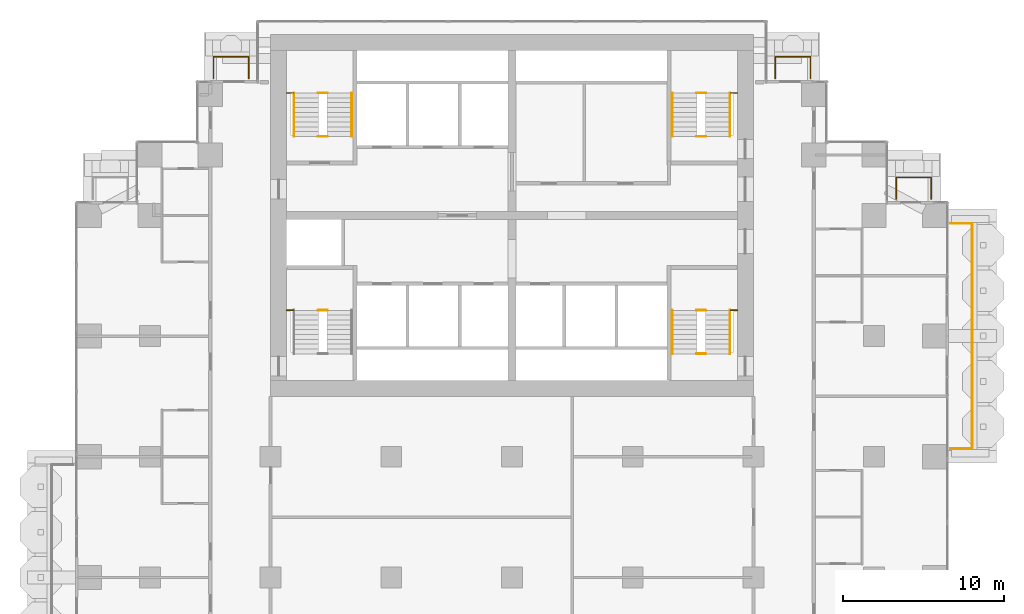
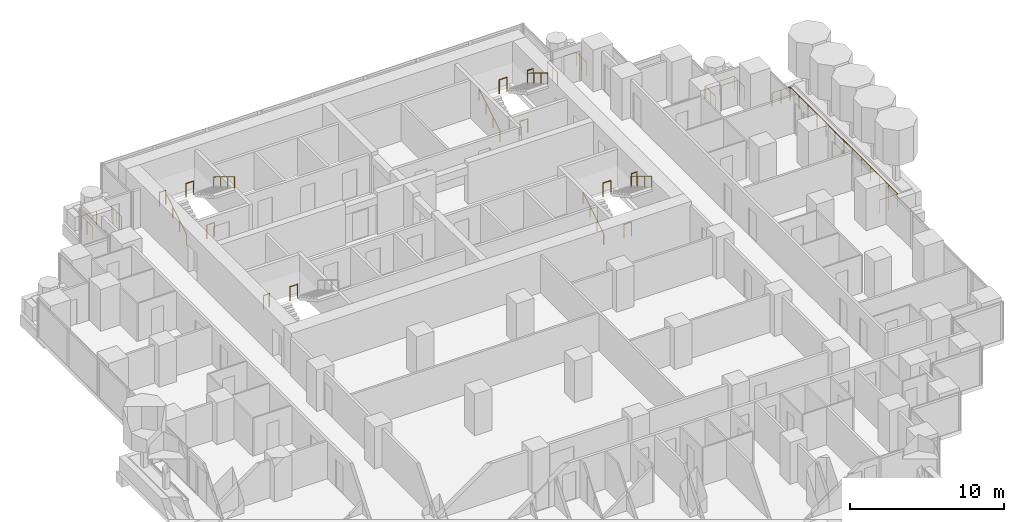
# One storey, part 18 of 19: 21 railings.
"""IFC4 building model written with IfcOpenShell, lengths in metres."""

from ifc_helpers import new_model, si_unit, direction, frame, origin, origin_2d, place, context, subcontext, project, spatial, circle, extrude, material, type_object, element, save


model = new_model("IFC4")

# Units and contexts
model_context = context("Model", 3, precision=1e-05, world=origin(), true_north=direction((0.0, 1.0)))
body_context = subcontext(model_context, "Body", "Model", "MODEL_VIEW")
ifc_project = project(units=[si_unit("LENGTHUNIT", "METRE"), si_unit("AREAUNIT", "SQUARE_METRE"), si_unit("VOLUMEUNIT", "CUBIC_METRE"), si_unit("PLANEANGLEUNIT", "RADIAN"), si_unit("MASSUNIT", "GRAM", prefix="KILO")], contexts=[model_context])

# Site, building, storey
site_placement = place(None, origin())
site = spatial("IfcSite", under=ifc_project, at=site_placement, CompositionType="ELEMENT")
building_placement = place(site_placement, origin())
building = spatial("IfcBuilding", under=site, at=building_placement, Name="Pilkhan Gate Tower", CompositionType="ELEMENT")
storey_placement = place(building_placement, frame((0.0, 0.0, 72.5)))
storey = spatial("IfcBuildingStorey", under=building, at=storey_placement, Name="L16", CompositionType="ELEMENT", Elevation=72.5)

# Railings
ifc_material_1 = material(Name="Pale anodised aluminium posts, laminated glass infill", Category="aluminium")
railing_type_1 = type_object("IfcRailingType", Name="Balcony guard G1", PredefinedType="BALUSTRADE", material=ifc_material_1)
railing_1_placement = place(storey_placement, frame((102.25, 68.0, 0.0)))
element("IfcRailing", 1, at=railing_1_placement, inside=storey, type_object=railing_type_1, Name="Balcony guard L16 E", PredefinedType="BALUSTRADE", context=body_context, shape_type="SweptSolid", body=[
    extrude(circle(Radius=0.02392578125, at=origin_2d()), frame((0.0, 0.0, 1.076171875), z_axis=(1.0, 0.0, 0.0), x_axis=(0.0, 1.0, 0.0)), (0.0, 0.0, 1.0), 1.35009765625),
    extrude(circle(Radius=0.02392578125, at=origin_2d()), frame((1.35009765625, 0.0, 1.076171875), z_axis=(0.0, 1.0, 0.0), x_axis=(-1.0, 0.0, 0.0)), (0.0, 0.0, 1.0), 14.0),
    extrude(circle(Radius=0.02392578125, at=origin_2d()), frame((1.35009765625, 14.0, 1.076171875), z_axis=(-1.0, 0.0, 0.0), x_axis=(0.0, -1.0, 0.0)), (0.0, 0.0, 1.0), 1.35009765625),
    extrude(circle(Radius=0.02099609375, at=origin_2d()), origin(), (0.0, 0.0, 1.0), 1.052001953125),
    extrude(circle(Radius=0.02099609375, at=origin_2d()), frame((0.675048828125, 0.0, 0.0)), (0.0, 0.0, 1.0), 1.052001953125),
    extrude(circle(Radius=0.02099609375, at=origin_2d()), frame((1.35009765625, 0.0, 0.0)), (0.0, 0.0, 1.0), 1.052001953125),
    extrude(circle(Radius=0.02099609375, at=origin_2d()), frame((1.35009765625, 1.166748046875, 0.0)), (0.0, 0.0, 1.0), 1.052001953125),
    extrude(circle(Radius=0.02099609375, at=origin_2d()), frame((1.35009765625, 2.333251953125, 0.0)), (0.0, 0.0, 1.0), 1.052001953125),
    extrude(circle(Radius=0.02099609375, at=origin_2d()), frame((1.35009765625, 3.5, 0.0)), (0.0, 0.0, 1.0), 1.052001953125),
    extrude(circle(Radius=0.02099609375, at=origin_2d()), frame((1.35009765625, 4.666748046875, 0.0)), (0.0, 0.0, 1.0), 1.052001953125),
    extrude(circle(Radius=0.02099609375, at=origin_2d()), frame((1.35009765625, 5.833251953125, 0.0)), (0.0, 0.0, 1.0), 1.052001953125),
    extrude(circle(Radius=0.02099609375, at=origin_2d()), frame((1.35009765625, 7.0, 0.0)), (0.0, 0.0, 1.0), 1.052001953125),
    extrude(circle(Radius=0.02099609375, at=origin_2d()), frame((1.35009765625, 8.166748046875, 0.0)), (0.0, 0.0, 1.0), 1.052001953125),
    extrude(circle(Radius=0.02099609375, at=origin_2d()), frame((1.35009765625, 9.333251953125, 0.0)), (0.0, 0.0, 1.0), 1.052001953125),
    extrude(circle(Radius=0.02099609375, at=origin_2d()), frame((1.35009765625, 10.5, 0.0)), (0.0, 0.0, 1.0), 1.052001953125),
    extrude(circle(Radius=0.02099609375, at=origin_2d()), frame((1.35009765625, 11.666748046875, 0.0)), (0.0, 0.0, 1.0), 1.052001953125),
    extrude(circle(Radius=0.02099609375, at=origin_2d()), frame((1.35009765625, 12.833251953125, 0.0)), (0.0, 0.0, 1.0), 1.052001953125),
    extrude(circle(Radius=0.02099609375, at=origin_2d()), frame((1.35009765625, 14.0, 0.0)), (0.0, 0.0, 1.0), 1.052001953125),
    extrude(circle(Radius=0.02099609375, at=origin_2d()), frame((0.675048828125, 14.0, 0.0)), (0.0, 0.0, 1.0), 1.052001953125),
    extrude(circle(Radius=0.02099609375, at=origin_2d()), frame((0.0, 14.0, 0.0)), (0.0, 0.0, 1.0), 1.052001953125),
])
for number, where, name in (
    (2, (56.449951171875, 91.0, 0.0), "Balcony guard L16 N"),
    (3, (91.35009765625, 91.0, 0.0), "Balcony guard L16 N"),
):
    element("IfcRailing", number, at=place(storey_placement, frame(where)), inside=storey, type_object=railing_type_1, Name=name, PredefinedType="BALUSTRADE", context=body_context, shape_type="SweptSolid", body=[
        extrude(circle(Radius=0.02392578125, at=origin_2d()), frame((0.0, 0.0, 1.076171875), z_axis=(0.0, 1.0, 0.0), x_axis=(-1.0, 0.0, 0.0)), (0.0, 0.0, 1.0), 1.35009765625),
        extrude(circle(Radius=0.02392578125, at=origin_2d()), frame((0.0, 1.35009765625, 1.076171875), z_axis=(1.0, 0.0, 0.0), x_axis=(0.0, 1.0, 0.0)), (0.0, 0.0, 1.0), 2.199951171875),
        extrude(circle(Radius=0.02392578125, at=origin_2d()), frame((2.199951171875, 1.35009765625, 1.076171875), z_axis=(0.0, -1.0, 0.0), x_axis=(1.0, 0.0, 0.0)), (0.0, 0.0, 1.0), 1.35009765625),
        extrude(circle(Radius=0.02099609375, at=origin_2d()), origin(), (0.0, 0.0, 1.0), 1.052001953125),
        extrude(circle(Radius=0.02099609375, at=origin_2d()), frame((0.0, 0.675048828125, 0.0)), (0.0, 0.0, 1.0), 1.052001953125),
        extrude(circle(Radius=0.02099609375, at=origin_2d()), frame((0.0, 1.35009765625, 0.0)), (0.0, 0.0, 1.0), 1.052001953125),
        extrude(circle(Radius=0.02099609375, at=origin_2d()), frame((1.10009765625, 1.35009765625, 0.0)), (0.0, 0.0, 1.0), 1.052001953125),
        extrude(circle(Radius=0.02099609375, at=origin_2d()), frame((2.199951171875, 1.35009765625, 0.0)), (0.0, 0.0, 1.0), 1.052001953125),
        extrude(circle(Radius=0.02099609375, at=origin_2d()), frame((2.199951171875, 0.675048828125, 0.0)), (0.0, 0.0, 1.0), 1.052001953125),
        extrude(circle(Radius=0.02099609375, at=origin_2d()), frame((2.199951171875, 0.0, 0.0)), (0.0, 0.0, 1.0), 1.052001953125),
    ])
railing_2_placement = place(storey_placement, frame((98.8701171875, 83.52001953125, 0.0)))
element("IfcRailing", 4, at=railing_2_placement, inside=storey, type_object=railing_type_1, Name="Balcony guard L16 N", PredefinedType="BALUSTRADE", context=body_context, shape_type="SweptSolid", body=[
    extrude(circle(Radius=0.02392578125, at=origin_2d()), frame((0.0, 0.0, 1.076171875), z_axis=(0.0, 1.0, 0.0), x_axis=(-1.0, 0.0, 0.0)), (0.0, 0.0, 1.0), 1.330078125),
    extrude(circle(Radius=0.02392578125, at=origin_2d()), frame((0.0, 1.330078125, 1.076171875), z_axis=(1.0, 0.0, 0.0), x_axis=(0.0, 1.0, 0.0)), (0.0, 0.0, 1.0), 2.179931640625),
    extrude(circle(Radius=0.02392578125, at=origin_2d()), frame((2.179931640625, 1.330078125, 1.076171875), z_axis=(0.0, -1.0, 0.0), x_axis=(1.0, 0.0, 0.0)), (0.0, 0.0, 1.0), 1.330078125),
    extrude(circle(Radius=0.02099609375, at=origin_2d()), origin(), (0.0, 0.0, 1.0), 1.052001953125),
    extrude(circle(Radius=0.02099609375, at=origin_2d()), frame((0.0, 0.6650390625, 0.0)), (0.0, 0.0, 1.0), 1.052001953125),
    extrude(circle(Radius=0.02099609375, at=origin_2d()), frame((0.0, 1.330078125, 0.0)), (0.0, 0.0, 1.0), 1.052001953125),
    extrude(circle(Radius=0.02099609375, at=origin_2d()), frame((1.08984375, 1.330078125, 0.0)), (0.0, 0.0, 1.0), 1.052001953125),
    extrude(circle(Radius=0.02099609375, at=origin_2d()), frame((2.179931640625, 1.330078125, 0.0)), (0.0, 0.0, 1.0), 1.052001953125),
    extrude(circle(Radius=0.02099609375, at=origin_2d()), frame((2.179931640625, 0.6650390625, 0.0)), (0.0, 0.0, 1.0), 1.052001953125),
    extrude(circle(Radius=0.02099609375, at=origin_2d()), frame((2.179931640625, 0.0, 0.0)), (0.0, 0.0, 1.0), 1.052001953125),
])
ifc_material_2 = material(Name="Black powder-coated steel tube", Category="steel")
railing_type_2 = type_object("IfcRailingType", Name="Stair handrail HR1", PredefinedType="HANDRAIL", material=ifc_material_2)
railing_3_placement = place(storey_placement, frame((84.949951171875, 73.89990234375, 0.0)))
element("IfcRailing", 5, at=railing_3_placement, inside=storey, type_object=railing_type_2, Name="Stair ST1 handrail L16", PredefinedType="HANDRAIL", context=body_context, shape_type="SweptSolid", body=[
    extrude(circle(Radius=0.02392578125, at=origin_2d()), frame((0.0, 0.0, 0.8759765625), z_axis=(0.0, 0.853312346642, 0.521400075823), x_axis=(-1.0, 0.0, 0.0)), (0.0, 0.0, 1.0), 3.164306640625),
    extrude(circle(Radius=0.02099609375, at=origin_2d()), origin(), (0.0, 0.0, 1.0), 0.851806640625),
    extrude(circle(Radius=0.02099609375, at=origin_2d()), frame((0.0, 0.900146484375, 0.550048828125)), (0.0, 0.0, 1.0), 0.851806640625),
    extrude(circle(Radius=0.02099609375, at=origin_2d()), frame((0.0, 1.800048828125, 1.099853515625)), (0.0, 0.0, 1.0), 0.851806640625),
    extrude(circle(Radius=0.02099609375, at=origin_2d()), frame((0.0, 2.7001953125, 1.64990234375)), (0.0, 0.0, 1.0), 0.851806640625),
])
railing_4_placement = place(storey_placement, frame((88.550048828125, 76.60009765625, 1.64990234375)))
element("IfcRailing", 6, at=railing_4_placement, inside=storey, type_object=railing_type_2, Name="Stair ST1 handrail L16", PredefinedType="HANDRAIL", context=body_context, shape_type="SweptSolid", body=[
    extrude(circle(Radius=0.02392578125, at=origin_2d()), frame((0.0, 0.0, 0.8759765625), z_axis=(0.0, -0.853278019476, 0.521456250781), x_axis=(1.0, 0.0, 0.0)), (0.0, 0.0, 1.0), 3.16455078125),
    extrude(circle(Radius=0.02099609375, at=origin_2d()), origin(), (0.0, 0.0, 1.0), 0.851806640625),
    extrude(circle(Radius=0.02099609375, at=origin_2d()), frame((0.0, -0.900146484375, 0.550048828125)), (0.0, 0.0, 1.0), 0.851806640625),
    extrude(circle(Radius=0.02099609375, at=origin_2d()), frame((0.0, -1.800048828125, 1.10009765625)), (0.0, 0.0, 1.0), 0.851806640625),
    extrude(circle(Radius=0.02099609375, at=origin_2d()), frame((0.0, -2.7001953125, 1.650146484375)), (0.0, 0.0, 1.0), 0.851806640625),
])
railing_5_placement = place(storey_placement, frame((61.449951171875, 87.39990234375, 0.0)))
element("IfcRailing", 7, at=railing_5_placement, inside=storey, type_object=railing_type_2, Name="Stair ST3 handrail L16", PredefinedType="HANDRAIL", context=body_context, shape_type="SweptSolid", body=[
    extrude(circle(Radius=0.02392578125, at=origin_2d()), frame((0.0, 0.0, 0.8759765625), z_axis=(0.0, 0.853312346642, 0.521400075823), x_axis=(-1.0, 0.0, 0.0)), (0.0, 0.0, 1.0), 3.164306640625),
    extrude(circle(Radius=0.02099609375, at=origin_2d()), origin(), (0.0, 0.0, 1.0), 0.851806640625),
    extrude(circle(Radius=0.02099609375, at=origin_2d()), frame((0.0, 0.900146484375, 0.550048828125)), (0.0, 0.0, 1.0), 0.851806640625),
    extrude(circle(Radius=0.02099609375, at=origin_2d()), frame((0.0, 1.800048828125, 1.099853515625)), (0.0, 0.0, 1.0), 0.851806640625),
    extrude(circle(Radius=0.02099609375, at=origin_2d()), frame((0.0, 2.7001953125, 1.64990234375)), (0.0, 0.0, 1.0), 0.851806640625),
])
railing_6_placement = place(storey_placement, frame((65.050048828125, 90.10009765625, 1.64990234375)))
element("IfcRailing", 8, at=railing_6_placement, inside=storey, type_object=railing_type_2, Name="Stair ST3 handrail L16", PredefinedType="HANDRAIL", context=body_context, shape_type="SweptSolid", body=[
    extrude(circle(Radius=0.02392578125, at=origin_2d()), frame((0.0, 0.0, 0.8759765625), z_axis=(0.0, -0.853278019476, 0.521456250781), x_axis=(1.0, 0.0, 0.0)), (0.0, 0.0, 1.0), 3.16455078125),
    extrude(circle(Radius=0.02099609375, at=origin_2d()), origin(), (0.0, 0.0, 1.0), 0.851806640625),
    extrude(circle(Radius=0.02099609375, at=origin_2d()), frame((0.0, -0.900146484375, 0.550048828125)), (0.0, 0.0, 1.0), 0.851806640625),
    extrude(circle(Radius=0.02099609375, at=origin_2d()), frame((0.0, -1.800048828125, 1.10009765625)), (0.0, 0.0, 1.0), 0.851806640625),
    extrude(circle(Radius=0.02099609375, at=origin_2d()), frame((0.0, -2.7001953125, 1.650146484375)), (0.0, 0.0, 1.0), 0.851806640625),
])
railing_7_placement = place(storey_placement, frame((84.949951171875, 87.39990234375, 0.0)))
element("IfcRailing", 9, at=railing_7_placement, inside=storey, type_object=railing_type_2, Name="Stair ST4 handrail L16", PredefinedType="HANDRAIL", context=body_context, shape_type="SweptSolid", body=[
    extrude(circle(Radius=0.02392578125, at=origin_2d()), frame((0.0, 0.0, 0.8759765625), z_axis=(0.0, 0.853312346642, 0.521400075823), x_axis=(-1.0, 0.0, 0.0)), (0.0, 0.0, 1.0), 3.164306640625),
    extrude(circle(Radius=0.02099609375, at=origin_2d()), origin(), (0.0, 0.0, 1.0), 0.851806640625),
    extrude(circle(Radius=0.02099609375, at=origin_2d()), frame((0.0, 0.900146484375, 0.550048828125)), (0.0, 0.0, 1.0), 0.851806640625),
    extrude(circle(Radius=0.02099609375, at=origin_2d()), frame((0.0, 1.800048828125, 1.099853515625)), (0.0, 0.0, 1.0), 0.851806640625),
    extrude(circle(Radius=0.02099609375, at=origin_2d()), frame((0.0, 2.7001953125, 1.64990234375)), (0.0, 0.0, 1.0), 0.851806640625),
])
railing_8_placement = place(storey_placement, frame((88.550048828125, 90.10009765625, 1.64990234375)))
element("IfcRailing", 10, at=railing_8_placement, inside=storey, type_object=railing_type_2, Name="Stair ST4 handrail L16", PredefinedType="HANDRAIL", context=body_context, shape_type="SweptSolid", body=[
    extrude(circle(Radius=0.02392578125, at=origin_2d()), frame((0.0, 0.0, 0.8759765625), z_axis=(0.0, -0.853278019476, 0.521456250781), x_axis=(1.0, 0.0, 0.0)), (0.0, 0.0, 1.0), 3.16455078125),
    extrude(circle(Radius=0.02099609375, at=origin_2d()), origin(), (0.0, 0.0, 1.0), 0.851806640625),
    extrude(circle(Radius=0.02099609375, at=origin_2d()), frame((0.0, -0.900146484375, 0.550048828125)), (0.0, 0.0, 1.0), 0.851806640625),
    extrude(circle(Radius=0.02099609375, at=origin_2d()), frame((0.0, -1.800048828125, 1.10009765625)), (0.0, 0.0, 1.0), 0.851806640625),
    extrude(circle(Radius=0.02099609375, at=origin_2d()), frame((0.0, -2.7001953125, 1.650146484375)), (0.0, 0.0, 1.0), 0.851806640625),
])
ifc_material_3 = material(Name="Black powder-coated steel balusters", Category="steel")
railing_type_3 = type_object("IfcRailingType", Name="Stair well guard G3", PredefinedType="GUARDRAIL", material=ifc_material_3)
railing_9_placement = place(storey_placement, frame((88.580078125, 76.60009765625, 1.64990234375)))
element("IfcRailing", 11, at=railing_9_placement, inside=storey, type_object=railing_type_3, Name="Stair ST1 well guard L16", PredefinedType="GUARDRAIL", context=body_context, shape_type="SweptSolid", body=[
    extrude(circle(Radius=0.02392578125, at=origin_2d()), frame((0.0, 0.0, 1.076171875), z_axis=(1.0, 0.0, 0.0), x_axis=(0.0, 1.0, 0.0)), (0.0, 0.0, 1.0), 0.43994140625),
    extrude(circle(Radius=0.02099609375, at=origin_2d()), origin(), (0.0, 0.0, 1.0), 1.052001953125),
    extrude(circle(Radius=0.02099609375, at=origin_2d()), frame((0.43994140625, 0.0, 0.0)), (0.0, 0.0, 1.0), 1.052001953125),
])
for number, where, name in (
    (12, (86.4599609375, 73.89990234375, 0.0), "Stair ST1 well guard L16"),
    (13, (86.4599609375, 76.60009765625, 1.64990234375), "Stair ST1 well guard L16"),
):
    element("IfcRailing", number, at=place(storey_placement, frame(where)), inside=storey, type_object=railing_type_3, Name=name, PredefinedType="GUARDRAIL", context=body_context, shape_type="SweptSolid", body=[
        extrude(circle(Radius=0.02392578125, at=origin_2d()), frame((0.0, 0.0, 1.076171875), z_axis=(1.0, 0.0, 0.0), x_axis=(0.0, 1.0, 0.0)), (0.0, 0.0, 1.0), 0.580078125),
        extrude(circle(Radius=0.02099609375, at=origin_2d()), origin(), (0.0, 0.0, 1.0), 1.052001953125),
        extrude(circle(Radius=0.02099609375, at=origin_2d()), frame((0.580078125, 0.0, 0.0)), (0.0, 0.0, 1.0), 1.052001953125),
    ])
railing_10_placement = place(storey_placement, frame((60.97998046875, 76.60009765625, 1.64990234375)))
element("IfcRailing", 14, at=railing_10_placement, inside=storey, type_object=railing_type_3, Name="Stair ST2 well guard L16", PredefinedType="GUARDRAIL", context=body_context, shape_type="SweptSolid", body=[
    extrude(circle(Radius=0.02392578125, at=origin_2d()), frame((0.0, 0.0, 1.076171875), z_axis=(1.0, 0.0, 0.0), x_axis=(0.0, 1.0, 0.0)), (0.0, 0.0, 1.0), 0.43994140625),
    extrude(circle(Radius=0.02099609375, at=origin_2d()), origin(), (0.0, 0.0, 1.0), 1.052001953125),
    extrude(circle(Radius=0.02099609375, at=origin_2d()), frame((0.43994140625, 0.0, 0.0)), (0.0, 0.0, 1.0), 1.052001953125),
])
railing_11_placement = place(storey_placement, frame((62.9599609375, 76.60009765625, 1.64990234375)))
element("IfcRailing", 15, at=railing_11_placement, inside=storey, type_object=railing_type_3, Name="Stair ST2 well guard L16", PredefinedType="GUARDRAIL", context=body_context, shape_type="SweptSolid", body=[
    extrude(circle(Radius=0.02392578125, at=origin_2d()), frame((0.0, 0.0, 1.076171875), z_axis=(1.0, 0.0, 0.0), x_axis=(0.0, 1.0, 0.0)), (0.0, 0.0, 1.0), 0.580078125),
    extrude(circle(Radius=0.02099609375, at=origin_2d()), origin(), (0.0, 0.0, 1.0), 1.052001953125),
    extrude(circle(Radius=0.02099609375, at=origin_2d()), frame((0.580078125, 0.0, 0.0)), (0.0, 0.0, 1.0), 1.052001953125),
])
railing_12_placement = place(storey_placement, frame((60.97998046875, 90.10009765625, 1.64990234375)))
element("IfcRailing", 16, at=railing_12_placement, inside=storey, type_object=railing_type_3, Name="Stair ST3 well guard L16", PredefinedType="GUARDRAIL", context=body_context, shape_type="SweptSolid", body=[
    extrude(circle(Radius=0.02392578125, at=origin_2d()), frame((0.0, 0.0, 1.076171875), z_axis=(1.0, 0.0, 0.0), x_axis=(0.0, 1.0, 0.0)), (0.0, 0.0, 1.0), 0.43994140625),
    extrude(circle(Radius=0.02099609375, at=origin_2d()), origin(), (0.0, 0.0, 1.0), 1.052001953125),
    extrude(circle(Radius=0.02099609375, at=origin_2d()), frame((0.43994140625, 0.0, 0.0)), (0.0, 0.0, 1.0), 1.052001953125),
])
for number, where, name in (
    (17, (62.9599609375, 87.39990234375, 0.0), "Stair ST3 well guard L16"),
    (18, (62.9599609375, 90.10009765625, 1.64990234375), "Stair ST3 well guard L16"),
):
    element("IfcRailing", number, at=place(storey_placement, frame(where)), inside=storey, type_object=railing_type_3, Name=name, PredefinedType="GUARDRAIL", context=body_context, shape_type="SweptSolid", body=[
        extrude(circle(Radius=0.02392578125, at=origin_2d()), frame((0.0, 0.0, 1.076171875), z_axis=(1.0, 0.0, 0.0), x_axis=(0.0, 1.0, 0.0)), (0.0, 0.0, 1.0), 0.580078125),
        extrude(circle(Radius=0.02099609375, at=origin_2d()), origin(), (0.0, 0.0, 1.0), 1.052001953125),
        extrude(circle(Radius=0.02099609375, at=origin_2d()), frame((0.580078125, 0.0, 0.0)), (0.0, 0.0, 1.0), 1.052001953125),
    ])
railing_13_placement = place(storey_placement, frame((88.580078125, 90.10009765625, 1.64990234375)))
element("IfcRailing", 19, at=railing_13_placement, inside=storey, type_object=railing_type_3, Name="Stair ST4 well guard L16", PredefinedType="GUARDRAIL", context=body_context, shape_type="SweptSolid", body=[
    extrude(circle(Radius=0.02392578125, at=origin_2d()), frame((0.0, 0.0, 1.076171875), z_axis=(1.0, 0.0, 0.0), x_axis=(0.0, 1.0, 0.0)), (0.0, 0.0, 1.0), 0.43994140625),
    extrude(circle(Radius=0.02099609375, at=origin_2d()), origin(), (0.0, 0.0, 1.0), 1.052001953125),
    extrude(circle(Radius=0.02099609375, at=origin_2d()), frame((0.43994140625, 0.0, 0.0)), (0.0, 0.0, 1.0), 1.052001953125),
])
for number, where, name in (
    (20, (86.4599609375, 87.39990234375, 0.0), "Stair ST4 well guard L16"),
    (21, (86.4599609375, 90.10009765625, 1.64990234375), "Stair ST4 well guard L16"),
):
    element("IfcRailing", number, at=place(storey_placement, frame(where)), inside=storey, type_object=railing_type_3, Name=name, PredefinedType="GUARDRAIL", context=body_context, shape_type="SweptSolid", body=[
        extrude(circle(Radius=0.02392578125, at=origin_2d()), frame((0.0, 0.0, 1.076171875), z_axis=(1.0, 0.0, 0.0), x_axis=(0.0, 1.0, 0.0)), (0.0, 0.0, 1.0), 0.580078125),
        extrude(circle(Radius=0.02099609375, at=origin_2d()), origin(), (0.0, 0.0, 1.0), 1.052001953125),
        extrude(circle(Radius=0.02099609375, at=origin_2d()), frame((0.580078125, 0.0, 0.0)), (0.0, 0.0, 1.0), 1.052001953125),
    ])

save(model, "model.ifc")
